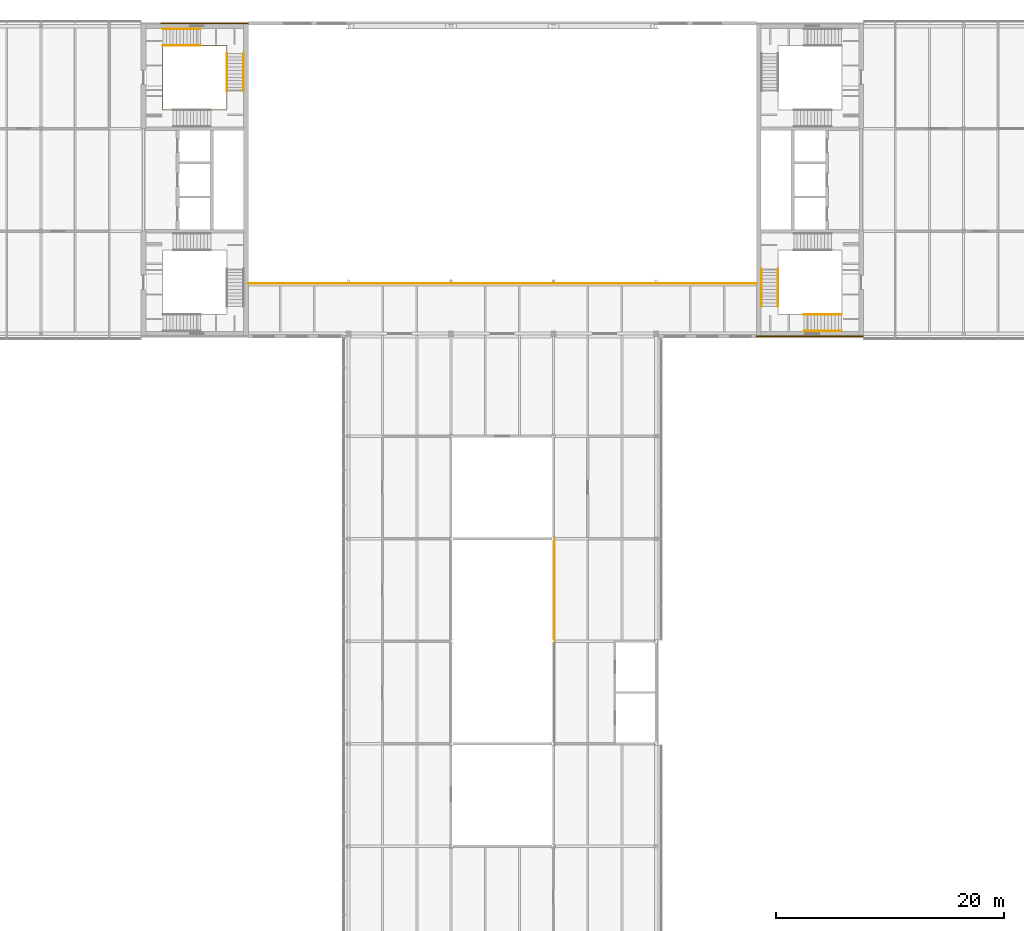
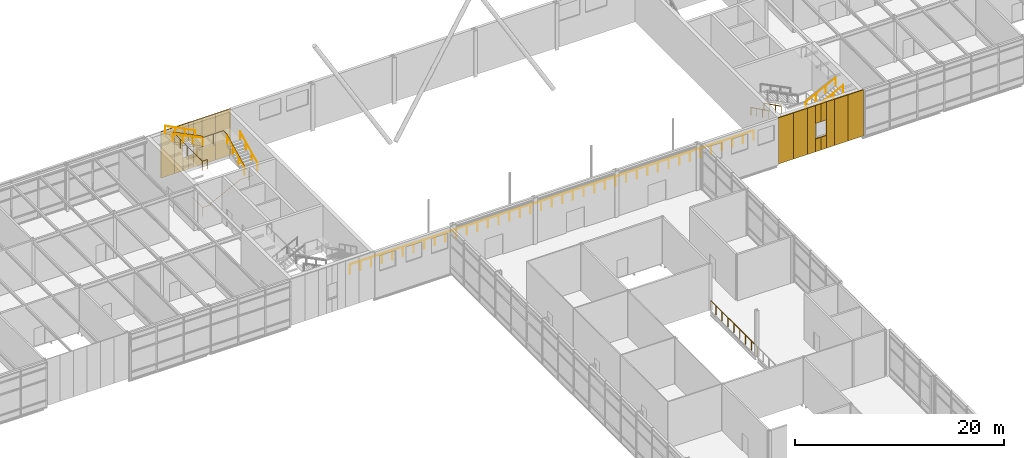
# One storey, part 44 of 46: 19 coverings, 11 railings.
"""IFC4 building model written with IfcOpenShell, lengths in metres."""

from ifc_helpers import new_model, si_unit, direction, frame, origin, origin_2d, place, context, subcontext, project, spatial, rectangle, circle, extrude, material, layer, layer_set, type_object, element, save


model = new_model("IFC4")

# Units and contexts
model_context = context("Model", 3, precision=1e-05, world=origin(), true_north=direction((0.0, 1.0)))
body_context = subcontext(model_context, "Body", "Model", "MODEL_VIEW")
ifc_project = project(units=[si_unit("LENGTHUNIT", "METRE"), si_unit("AREAUNIT", "SQUARE_METRE"), si_unit("VOLUMEUNIT", "CUBIC_METRE"), si_unit("PLANEANGLEUNIT", "RADIAN"), si_unit("MASSUNIT", "GRAM", prefix="KILO")], contexts=[model_context])

# Site, building, storey
site_placement = place(None, origin())
site = spatial("IfcSite", under=ifc_project, at=site_placement, CompositionType="ELEMENT")
building_placement = place(site_placement, origin())
building = spatial("IfcBuilding", under=site, at=building_placement, Name="Azimuth Sports and Learning Centre", CompositionType="ELEMENT")
storey_placement = place(building_placement, frame((0.0, 0.0, 21.60009765625)))
storey = spatial("IfcBuildingStorey", under=building, at=storey_placement, Name="L04", CompositionType="ELEMENT", Elevation=21.60009765625)

# Coverings
ifc_material_1 = material(Name="Cladding panel")
ifc_layer = layer(ifc_material_1, 0.10009765625)
ifc_layer_set = layer_set([ifc_layer], Name="Cladding panel")
covering_type = type_object("IfcCoveringType", Name="Cladding panel 100", PredefinedType="CLADDING", material=ifc_layer_set)
covering_1_placement = place(storey_placement, frame((108.64990234375, 89.75, 0.0), z_axis=(0.0, 0.0, 1.0), x_axis=(1.0, 0.0, 0.0)))
element("IfcCovering", 1, at=covering_1_placement, inside=storey, type_object=covering_type, Name="Cladding panel S-CORE E L04 1", PredefinedType="CLADDING", context=body_context, shape_type="SweptSolid", body=[
    extrude(rectangle(XDim=1.699951171875, YDim=0.10009765625, at=origin_2d()), origin(), (0.0, 0.0, 1.0), 5.39990234375),
])
covering_2_placement = place(storey_placement, frame((110.25, 89.75, 0.0), z_axis=(0.0, 0.0, 1.0), x_axis=(1.0, 0.0, 0.0)))
element("IfcCovering", 2, at=covering_2_placement, inside=storey, type_object=covering_type, Name="Cladding panel S-CORE E L04 2", PredefinedType="CLADDING", context=body_context, shape_type="SweptSolid", body=[
    extrude(rectangle(XDim=1.5, YDim=0.10009765625, at=origin_2d()), origin(), (0.0, 0.0, 1.0), 5.39990234375),
])
covering_3_placement = place(storey_placement, frame((111.449951171875, 89.75, 0.0), z_axis=(0.0, 0.0, 1.0), x_axis=(1.0, 0.0, 0.0)))
element("IfcCovering", 3, at=covering_3_placement, inside=storey, type_object=covering_type, Name="Cladding panel S-CORE E L04 3", PredefinedType="CLADDING", context=body_context, shape_type="SweptSolid", body=[
    extrude(rectangle(XDim=0.89990234375, YDim=0.10009765625, at=origin_2d()), origin(), (0.0, 0.0, 1.0), 5.39990234375),
])
covering_4_placement = place(storey_placement, frame((112.199951171875, 89.75, 0.0), z_axis=(0.0, 0.0, 1.0), x_axis=(1.0, 0.0, 0.0)))
element("IfcCovering", 4, at=covering_4_placement, inside=storey, type_object=covering_type, Name="Cladding panel S-CORE E L04 4", PredefinedType="CLADDING", context=body_context, shape_type="SweptSolid", body=[
    extrude(rectangle(XDim=0.60009765625, YDim=0.10009765625, at=origin_2d()), origin(), (0.0, 0.0, 1.0), 1.5),
])
covering_5_placement = place(storey_placement, frame((112.199951171875, 89.75, 3.2998046875), z_axis=(0.0, 0.0, 1.0), x_axis=(1.0, 0.0, 0.0)))
element("IfcCovering", 5, at=covering_5_placement, inside=storey, type_object=covering_type, Name="Cladding panel S-CORE E L04 5", PredefinedType="CLADDING", context=body_context, shape_type="SweptSolid", body=[
    extrude(rectangle(XDim=0.60009765625, YDim=0.10009765625, at=origin_2d()), origin(), (0.0, 0.0, 1.0), 2.10009765625),
])
covering_6_placement = place(storey_placement, frame((113.550048828125, 89.75, 0.0), z_axis=(0.0, 0.0, 1.0), x_axis=(1.0, 0.0, 0.0)))
element("IfcCovering", 6, at=covering_6_placement, inside=storey, type_object=covering_type, Name="Cladding panel S-CORE E L04 6", PredefinedType="CLADDING", context=body_context, shape_type="SweptSolid", body=[
    extrude(rectangle(XDim=0.89990234375, YDim=0.10009765625, at=origin_2d()), origin(), (0.0, 0.0, 1.0), 5.39990234375),
])
covering_7_placement = place(storey_placement, frame((112.800048828125, 89.75, 0.0), z_axis=(0.0, 0.0, 1.0), x_axis=(1.0, 0.0, 0.0)))
element("IfcCovering", 7, at=covering_7_placement, inside=storey, type_object=covering_type, Name="Cladding panel S-CORE E L04 7", PredefinedType="CLADDING", context=body_context, shape_type="SweptSolid", body=[
    extrude(rectangle(XDim=0.60009765625, YDim=0.10009765625, at=origin_2d()), origin(), (0.0, 0.0, 1.0), 1.5),
])
covering_8_placement = place(storey_placement, frame((112.800048828125, 89.75, 3.2998046875), z_axis=(0.0, 0.0, 1.0), x_axis=(1.0, 0.0, 0.0)))
element("IfcCovering", 8, at=covering_8_placement, inside=storey, type_object=covering_type, Name="Cladding panel S-CORE E L04 8", PredefinedType="CLADDING", context=body_context, shape_type="SweptSolid", body=[
    extrude(rectangle(XDim=0.60009765625, YDim=0.10009765625, at=origin_2d()), origin(), (0.0, 0.0, 1.0), 2.10009765625),
])
covering_9_placement = place(storey_placement, frame((114.75, 89.75, 0.0), z_axis=(0.0, 0.0, 1.0), x_axis=(1.0, 0.0, 0.0)))
element("IfcCovering", 9, at=covering_9_placement, inside=storey, type_object=covering_type, Name="Cladding panel S-CORE E L04 9", PredefinedType="CLADDING", context=body_context, shape_type="SweptSolid", body=[
    extrude(rectangle(XDim=1.5, YDim=0.10009765625, at=origin_2d()), origin(), (0.0, 0.0, 1.0), 5.39990234375),
])
for number, where, z_axis, x_axis, name in (
    (10, (116.35009765625, 89.75, 0.0), (0.0, 0.0, 1.0), (1.0, 0.0, 0.0), "Cladding panel S-CORE E L04 10"),
    (11, (62.35009765625, 117.25, 0.0), (0.0, 0.0, 1.0), (-1.0, 0.0, 0.0), "Cladding panel N-CORE W L04 1"),
):
    element("IfcCovering", number, at=place(storey_placement, frame(where, z_axis=z_axis, x_axis=x_axis)), inside=storey, type_object=covering_type, Name=name, PredefinedType="CLADDING", context=body_context, shape_type="SweptSolid", body=[
        extrude(rectangle(XDim=1.699951171875, YDim=0.10009765625, at=origin_2d()), origin(), (0.0, 0.0, 1.0), 5.39990234375),
    ])
covering_10_placement = place(storey_placement, frame((60.75, 117.25, 0.0), z_axis=(0.0, 0.0, 1.0), x_axis=(-1.0, 0.0, 0.0)))
element("IfcCovering", 12, at=covering_10_placement, inside=storey, type_object=covering_type, Name="Cladding panel N-CORE W L04 2", PredefinedType="CLADDING", context=body_context, shape_type="SweptSolid", body=[
    extrude(rectangle(XDim=1.5, YDim=0.10009765625, at=origin_2d()), origin(), (0.0, 0.0, 1.0), 5.39990234375),
])
covering_11_placement = place(storey_placement, frame((59.550048828125, 117.25, 0.0), z_axis=(0.0, 0.0, 1.0), x_axis=(-1.0, 0.0, 0.0)))
element("IfcCovering", 13, at=covering_11_placement, inside=storey, type_object=covering_type, Name="Cladding panel N-CORE W L04 3", PredefinedType="CLADDING", context=body_context, shape_type="SweptSolid", body=[
    extrude(rectangle(XDim=0.89990234375, YDim=0.10009765625, at=origin_2d()), origin(), (0.0, 0.0, 1.0), 5.39990234375),
])
covering_12_placement = place(storey_placement, frame((58.800048828125, 117.25, 0.0), z_axis=(0.0, 0.0, 1.0), x_axis=(-1.0, 0.0, 0.0)))
element("IfcCovering", 14, at=covering_12_placement, inside=storey, type_object=covering_type, Name="Cladding panel N-CORE W L04 4", PredefinedType="CLADDING", context=body_context, shape_type="SweptSolid", body=[
    extrude(rectangle(XDim=0.60009765625, YDim=0.10009765625, at=origin_2d()), origin(), (0.0, 0.0, 1.0), 1.5),
])
covering_13_placement = place(storey_placement, frame((58.800048828125, 117.25, 3.2998046875), z_axis=(0.0, 0.0, 1.0), x_axis=(-1.0, 0.0, 0.0)))
element("IfcCovering", 15, at=covering_13_placement, inside=storey, type_object=covering_type, Name="Cladding panel N-CORE W L04 5", PredefinedType="CLADDING", context=body_context, shape_type="SweptSolid", body=[
    extrude(rectangle(XDim=0.60009765625, YDim=0.10009765625, at=origin_2d()), origin(), (0.0, 0.0, 1.0), 2.10009765625),
])
covering_14_placement = place(storey_placement, frame((57.449951171875, 117.25, 0.0), z_axis=(0.0, 0.0, 1.0), x_axis=(-1.0, 0.0, 0.0)))
element("IfcCovering", 16, at=covering_14_placement, inside=storey, type_object=covering_type, Name="Cladding panel N-CORE W L04 6", PredefinedType="CLADDING", context=body_context, shape_type="SweptSolid", body=[
    extrude(rectangle(XDim=0.89990234375, YDim=0.10009765625, at=origin_2d()), origin(), (0.0, 0.0, 1.0), 5.39990234375),
])
covering_15_placement = place(storey_placement, frame((58.199951171875, 117.25, 0.0), z_axis=(0.0, 0.0, 1.0), x_axis=(-1.0, 0.0, 0.0)))
element("IfcCovering", 17, at=covering_15_placement, inside=storey, type_object=covering_type, Name="Cladding panel N-CORE W L04 7", PredefinedType="CLADDING", context=body_context, shape_type="SweptSolid", body=[
    extrude(rectangle(XDim=0.60009765625, YDim=0.10009765625, at=origin_2d()), origin(), (0.0, 0.0, 1.0), 1.5),
])
covering_16_placement = place(storey_placement, frame((58.199951171875, 117.25, 3.2998046875), z_axis=(0.0, 0.0, 1.0), x_axis=(-1.0, 0.0, 0.0)))
element("IfcCovering", 18, at=covering_16_placement, inside=storey, type_object=covering_type, Name="Cladding panel N-CORE W L04 8", PredefinedType="CLADDING", context=body_context, shape_type="SweptSolid", body=[
    extrude(rectangle(XDim=0.60009765625, YDim=0.10009765625, at=origin_2d()), origin(), (0.0, 0.0, 1.0), 2.10009765625),
])
covering_17_placement = place(storey_placement, frame((56.25, 117.25, 0.0), z_axis=(0.0, 0.0, 1.0), x_axis=(-1.0, 0.0, 0.0)))
element("IfcCovering", 19, at=covering_17_placement, inside=storey, type_object=covering_type, Name="Cladding panel N-CORE W L04 9", PredefinedType="CLADDING", context=body_context, shape_type="SweptSolid", body=[
    extrude(rectangle(XDim=1.5, YDim=0.10009765625, at=origin_2d()), origin(), (0.0, 0.0, 1.0), 5.39990234375),
])

# Railings
ifc_material_2 = material(Name="Steel balustrade", Category="steel")
railing_type_1 = type_object("IfcRailingType", Name="Guard 1100", PredefinedType="GUARDRAIL", material=ifc_material_2)
railing_1_placement = place(storey_placement, frame((90.070068359375, 63.0, 0.0)))
element("IfcRailing", 20, at=railing_1_placement, inside=storey, type_object=railing_type_1, Name="Atrium guard", PredefinedType="GUARDRAIL", context=body_context, shape_type="SweptSolid", body=[
    extrude(circle(Radius=0.02392578125, at=origin_2d()), frame((0.0, 0.0, 1.076171875), z_axis=(0.0, 1.0, 0.0), x_axis=(-1.0, 0.0, 0.0)), (0.0, 0.0, 1.0), 9.0),
    extrude(circle(Radius=0.02099609375, at=origin_2d()), origin(), (0.0, 0.0, 1.0), 1.052001953125),
    extrude(circle(Radius=0.02099609375, at=origin_2d()), frame((0.0, 1.125, 0.0)), (0.0, 0.0, 1.0), 1.052001953125),
    extrude(circle(Radius=0.02099609375, at=origin_2d()), frame((0.0, 2.25, 0.0)), (0.0, 0.0, 1.0), 1.052001953125),
    extrude(circle(Radius=0.02099609375, at=origin_2d()), frame((0.0, 3.375, 0.0)), (0.0, 0.0, 1.0), 1.052001953125),
    extrude(circle(Radius=0.02099609375, at=origin_2d()), frame((0.0, 4.5, 0.0)), (0.0, 0.0, 1.0), 1.052001953125),
    extrude(circle(Radius=0.02099609375, at=origin_2d()), frame((0.0, 5.625, 0.0)), (0.0, 0.0, 1.0), 1.052001953125),
    extrude(circle(Radius=0.02099609375, at=origin_2d()), frame((0.0, 6.75, 0.0)), (0.0, 0.0, 1.0), 1.052001953125),
    extrude(circle(Radius=0.02099609375, at=origin_2d()), frame((0.0, 7.875, 0.0)), (0.0, 0.0, 1.0), 1.052001953125),
    extrude(circle(Radius=0.02099609375, at=origin_2d()), frame((0.0, 9.0, 0.0)), (0.0, 0.0, 1.0), 1.052001953125),
])
railing_2_placement = place(storey_placement, frame((63.199951171875, 94.39990234375, 0.0)))
element("IfcRailing", 21, at=railing_2_placement, inside=storey, type_object=railing_type_1, Name="Gallery guard B", PredefinedType="GUARDRAIL", context=body_context, shape_type="SweptSolid", body=[
    extrude(circle(Radius=0.02392578125, at=origin_2d()), frame((0.0, 0.0, 1.076171875), z_axis=(1.0, 0.0, 0.0), x_axis=(0.0, 1.0, 0.0)), (0.0, 0.0, 1.0), 44.60009765625),
    extrude(circle(Radius=0.02099609375, at=origin_2d()), origin(), (0.0, 0.0, 1.0), 1.052001953125),
    extrude(circle(Radius=0.02099609375, at=origin_2d()), frame((1.173583984375, 0.0, 0.0)), (0.0, 0.0, 1.0), 1.052001953125),
    extrude(circle(Radius=0.02099609375, at=origin_2d()), frame((2.347412109375, 0.0, 0.0)), (0.0, 0.0, 1.0), 1.052001953125),
    extrude(circle(Radius=0.02099609375, at=origin_2d()), frame((3.52099609375, 0.0, 0.0)), (0.0, 0.0, 1.0), 1.052001953125),
    extrude(circle(Radius=0.02099609375, at=origin_2d()), frame((4.69482421875, 0.0, 0.0)), (0.0, 0.0, 1.0), 1.052001953125),
    extrude(circle(Radius=0.02099609375, at=origin_2d()), frame((5.868408203125, 0.0, 0.0)), (0.0, 0.0, 1.0), 1.052001953125),
    extrude(circle(Radius=0.02099609375, at=origin_2d()), frame((7.042236328125, 0.0, 0.0)), (0.0, 0.0, 1.0), 1.052001953125),
    extrude(circle(Radius=0.02099609375, at=origin_2d()), frame((8.2158203125, 0.0, 0.0)), (0.0, 0.0, 1.0), 1.052001953125),
    extrude(circle(Radius=0.02099609375, at=origin_2d()), frame((9.389404296875, 0.0, 0.0)), (0.0, 0.0, 1.0), 1.052001953125),
    extrude(circle(Radius=0.02099609375, at=origin_2d()), frame((10.563232421875, 0.0, 0.0)), (0.0, 0.0, 1.0), 1.052001953125),
    extrude(circle(Radius=0.02099609375, at=origin_2d()), frame((11.73681640625, 0.0, 0.0)), (0.0, 0.0, 1.0), 1.052001953125),
    extrude(circle(Radius=0.02099609375, at=origin_2d()), frame((12.91064453125, 0.0, 0.0)), (0.0, 0.0, 1.0), 1.052001953125),
    extrude(circle(Radius=0.02099609375, at=origin_2d()), frame((14.084228515625, 0.0, 0.0)), (0.0, 0.0, 1.0), 1.052001953125),
    extrude(circle(Radius=0.02099609375, at=origin_2d()), frame((15.2578125, 0.0, 0.0)), (0.0, 0.0, 1.0), 1.052001953125),
    extrude(circle(Radius=0.02099609375, at=origin_2d()), frame((16.431640625, 0.0, 0.0)), (0.0, 0.0, 1.0), 1.052001953125),
    extrude(circle(Radius=0.02099609375, at=origin_2d()), frame((17.605224609375, 0.0, 0.0)), (0.0, 0.0, 1.0), 1.052001953125),
    extrude(circle(Radius=0.02099609375, at=origin_2d()), frame((18.779052734375, 0.0, 0.0)), (0.0, 0.0, 1.0), 1.052001953125),
    extrude(circle(Radius=0.02099609375, at=origin_2d()), frame((19.95263671875, 0.0, 0.0)), (0.0, 0.0, 1.0), 1.052001953125),
    extrude(circle(Radius=0.02099609375, at=origin_2d()), frame((21.12646484375, 0.0, 0.0)), (0.0, 0.0, 1.0), 1.052001953125),
    extrude(circle(Radius=0.02099609375, at=origin_2d()), frame((22.300048828125, 0.0, 0.0)), (0.0, 0.0, 1.0), 1.052001953125),
    extrude(circle(Radius=0.02099609375, at=origin_2d()), frame((23.4736328125, 0.0, 0.0)), (0.0, 0.0, 1.0), 1.052001953125),
    extrude(circle(Radius=0.02099609375, at=origin_2d()), frame((24.6474609375, 0.0, 0.0)), (0.0, 0.0, 1.0), 1.052001953125),
    extrude(circle(Radius=0.02099609375, at=origin_2d()), frame((25.821044921875, 0.0, 0.0)), (0.0, 0.0, 1.0), 1.052001953125),
    extrude(circle(Radius=0.02099609375, at=origin_2d()), frame((26.994873046875, 0.0, 0.0)), (0.0, 0.0, 1.0), 1.052001953125),
    extrude(circle(Radius=0.02099609375, at=origin_2d()), frame((28.16845703125, 0.0, 0.0)), (0.0, 0.0, 1.0), 1.052001953125),
    extrude(circle(Radius=0.02099609375, at=origin_2d()), frame((29.34228515625, 0.0, 0.0)), (0.0, 0.0, 1.0), 1.052001953125),
    extrude(circle(Radius=0.02099609375, at=origin_2d()), frame((30.515869140625, 0.0, 0.0)), (0.0, 0.0, 1.0), 1.052001953125),
    extrude(circle(Radius=0.02099609375, at=origin_2d()), frame((31.689453125, 0.0, 0.0)), (0.0, 0.0, 1.0), 1.052001953125),
    extrude(circle(Radius=0.02099609375, at=origin_2d()), frame((32.86328125, 0.0, 0.0)), (0.0, 0.0, 1.0), 1.052001953125),
    extrude(circle(Radius=0.02099609375, at=origin_2d()), frame((34.036865234375, 0.0, 0.0)), (0.0, 0.0, 1.0), 1.052001953125),
    extrude(circle(Radius=0.02099609375, at=origin_2d()), frame((35.210693359375, 0.0, 0.0)), (0.0, 0.0, 1.0), 1.052001953125),
    extrude(circle(Radius=0.02099609375, at=origin_2d()), frame((36.38427734375, 0.0, 0.0)), (0.0, 0.0, 1.0), 1.052001953125),
    extrude(circle(Radius=0.02099609375, at=origin_2d()), frame((37.557861328125, 0.0, 0.0)), (0.0, 0.0, 1.0), 1.052001953125),
    extrude(circle(Radius=0.02099609375, at=origin_2d()), frame((38.731689453125, 0.0, 0.0)), (0.0, 0.0, 1.0), 1.052001953125),
    extrude(circle(Radius=0.02099609375, at=origin_2d()), frame((39.9052734375, 0.0, 0.0)), (0.0, 0.0, 1.0), 1.052001953125),
    extrude(circle(Radius=0.02099609375, at=origin_2d()), frame((41.0791015625, 0.0, 0.0)), (0.0, 0.0, 1.0), 1.052001953125),
    extrude(circle(Radius=0.02099609375, at=origin_2d()), frame((42.252685546875, 0.0, 0.0)), (0.0, 0.0, 1.0), 1.052001953125),
    extrude(circle(Radius=0.02099609375, at=origin_2d()), frame((43.426513671875, 0.0, 0.0)), (0.0, 0.0, 1.0), 1.052001953125),
    extrude(circle(Radius=0.02099609375, at=origin_2d()), frame((44.60009765625, 0.0, 0.0)), (0.0, 0.0, 1.0), 1.052001953125),
])
ifc_material_3 = material(Name="Stainless steel", Category="steel")
railing_type_2 = type_object("IfcRailingType", Name="Stair guard 1100", PredefinedType="GUARDRAIL", material=ifc_material_3)
railing_3_placement = place(storey_placement, frame((55.7099609375, 111.75, 0.0)))
element("IfcRailing", 22, at=railing_3_placement, inside=storey, type_object=railing_type_2, Name="Guard W2 L04 well", PredefinedType="GUARDRAIL", context=body_context, shape_type="SweptSolid", body=[
    extrude(circle(Radius=0.02392578125, at=origin_2d()), frame((0.0, 0.0, 1.076171875), z_axis=(0.0, -1.0, 0.0), x_axis=(1.0, 0.0, 0.0)), (0.0, 0.0, 1.0), 2.090087890625),
    extrude(circle(Radius=0.02392578125, at=origin_2d()), frame((0.0, -2.090087890625, 1.076171875), z_axis=(1.0, 0.0, 0.0), x_axis=(0.0, 1.0, 0.0)), (0.0, 0.0, 1.0), 0.900146484375),
    extrude(circle(Radius=0.02392578125, at=origin_2d()), frame((0.900146484375, -2.090087890625, 1.076171875), z_axis=(0.0, 0.0, 1.0), x_axis=(1.0, 0.0, 0.0)), (0.0, 0.0, 1.0), 0.14990234375),
    extrude(circle(Radius=0.02392578125, at=origin_2d()), frame((0.900146484375, -2.090087890625, 1.22607421875), z_axis=(0.894427191, 0.0, 0.4472135955), x_axis=(0.0, 1.0, 0.0)), (0.0, 0.0, 1.0), 3.689208984375),
    extrude(circle(Radius=0.02392578125, at=origin_2d()), frame((4.199951171875, -2.090087890625, 2.8759765625), z_axis=(1.0, 0.0, 0.0), x_axis=(0.0, 1.0, 0.0)), (0.0, 0.0, 1.0), 1.380126953125),
    extrude(circle(Radius=0.02392578125, at=origin_2d()), frame((5.580078125, -2.090087890625, 2.8759765625), z_axis=(0.0, 1.0, 0.0), x_axis=(-1.0, 0.0, 0.0)), (0.0, 0.0, 1.0), 1.650146484375),
    extrude(circle(Radius=0.02392578125, at=origin_2d()), frame((5.580078125, -0.43994140625, 2.8759765625), z_axis=(0.0, 0.0, 1.0), x_axis=(1.0, 0.0, 0.0)), (0.0, 0.0, 1.0), 0.150146484375),
    extrude(circle(Radius=0.02392578125, at=origin_2d()), frame((5.580078125, -0.43994140625, 3.02587890625), z_axis=(0.0, 0.894440424912, 0.447187126696), x_axis=(-1.0, 0.0, 0.0)), (0.0, 0.0, 1.0), 3.689453125),
    extrude(circle(Radius=0.02392578125, at=origin_2d()), frame((5.580078125, 2.860107421875, 4.67578125), z_axis=(0.0, 1.0, 0.0), x_axis=(-1.0, 0.0, 0.0)), (0.0, 0.0, 1.0), 0.679931640625),
    extrude(circle(Radius=0.02392578125, at=origin_2d()), frame((5.580078125, 3.5400390625, 4.67578125), z_axis=(-1.0, 0.0, 0.0), x_axis=(0.0, -1.0, 0.0)), (0.0, 0.0, 1.0), 2.280029296875),
    extrude(circle(Radius=0.02392578125, at=origin_2d()), frame((3.300048828125, 3.5400390625, 4.67578125), z_axis=(0.0, 0.0, 1.0), x_axis=(1.0, 0.0, 0.0)), (0.0, 0.0, 1.0), 0.150146484375),
    extrude(circle(Radius=0.02392578125, at=origin_2d()), frame((3.300048828125, 3.5400390625, 4.826171875), z_axis=(-0.894440424912, 0.0, 0.447187126696), x_axis=(0.0, -1.0, 0.0)), (0.0, 0.0, 1.0), 3.689453125),
    extrude(circle(Radius=0.02392578125, at=origin_2d()), frame((0.0, 3.5400390625, 6.47607421875), z_axis=(0.0, -1.0, 0.0), x_axis=(1.0, 0.0, 0.0)), (0.0, 0.0, 1.0), 5.630126953125),
    extrude(circle(Radius=0.02392578125, at=origin_2d()), frame((0.0, -2.090087890625, 6.47607421875), z_axis=(1.0, 0.0, 0.0), x_axis=(0.0, 1.0, 0.0)), (0.0, 0.0, 1.0), 0.5400390625),
    extrude(circle(Radius=0.01611328125, at=origin_2d()), origin(), (0.0, 0.0, 1.0), 1.052001953125),
    extrude(circle(Radius=0.01611328125, at=origin_2d()), frame((0.0, -1.044921875, 0.0)), (0.0, 0.0, 1.0), 1.052001953125),
    extrude(circle(Radius=0.01611328125, at=origin_2d()), frame((0.0, -2.090087890625, 0.0)), (0.0, 0.0, 1.0), 1.052001953125),
    extrude(circle(Radius=0.01611328125, at=origin_2d()), frame((0.900146484375, -2.090087890625, 0.0)), (0.0, 0.0, 1.0), 1.052001953125),
    extrude(circle(Radius=0.01611328125, at=origin_2d()), frame((0.900146484375, -2.090087890625, 0.14990234375)), (0.0, 0.0, 1.0), 1.052001953125),
    extrude(circle(Radius=0.01611328125, at=origin_2d()), frame((2.0, -2.090087890625, 0.699951171875)), (0.0, 0.0, 1.0), 1.052001953125),
    extrude(circle(Radius=0.01611328125, at=origin_2d()), frame((3.10009765625, -2.090087890625, 1.249755859375)), (0.0, 0.0, 1.0), 1.052001953125),
    extrude(circle(Radius=0.01611328125, at=origin_2d()), frame((4.199951171875, -2.090087890625, 1.7998046875)), (0.0, 0.0, 1.0), 1.052001953125),
    extrude(circle(Radius=0.01611328125, at=origin_2d()), frame((5.580078125, -2.090087890625, 1.7998046875)), (0.0, 0.0, 1.0), 1.052001953125),
    extrude(circle(Radius=0.01611328125, at=origin_2d()), frame((5.580078125, -1.26513671875, 1.7998046875)), (0.0, 0.0, 1.0), 1.052001953125),
    extrude(circle(Radius=0.01611328125, at=origin_2d()), frame((5.580078125, -0.43994140625, 1.7998046875)), (0.0, 0.0, 1.0), 1.052001953125),
    extrude(circle(Radius=0.01611328125, at=origin_2d()), frame((5.580078125, -0.43994140625, 1.949951171875)), (0.0, 0.0, 1.0), 1.052001953125),
    extrude(circle(Radius=0.01611328125, at=origin_2d()), frame((5.580078125, 0.66015625, 2.5)), (0.0, 0.0, 1.0), 1.052001953125),
    extrude(circle(Radius=0.01611328125, at=origin_2d()), frame((5.580078125, 1.760009765625, 3.0498046875)), (0.0, 0.0, 1.0), 1.052001953125),
    extrude(circle(Radius=0.01611328125, at=origin_2d()), frame((5.580078125, 2.860107421875, 3.599853515625)), (0.0, 0.0, 1.0), 1.052001953125),
    extrude(circle(Radius=0.01611328125, at=origin_2d()), frame((5.580078125, 3.5400390625, 3.599853515625)), (0.0, 0.0, 1.0), 1.052001953125),
    extrude(circle(Radius=0.01611328125, at=origin_2d()), frame((4.43994140625, 3.5400390625, 3.599853515625)), (0.0, 0.0, 1.0), 1.052001953125),
    extrude(circle(Radius=0.01611328125, at=origin_2d()), frame((3.300048828125, 3.5400390625, 3.599853515625)), (0.0, 0.0, 1.0), 1.052001953125),
    extrude(circle(Radius=0.01611328125, at=origin_2d()), frame((3.300048828125, 3.5400390625, 3.75)), (0.0, 0.0, 1.0), 1.052001953125),
    extrude(circle(Radius=0.01611328125, at=origin_2d()), frame((2.199951171875, 3.5400390625, 4.300048828125)), (0.0, 0.0, 1.0), 1.052001953125),
    extrude(circle(Radius=0.01611328125, at=origin_2d()), frame((1.10009765625, 3.5400390625, 4.849853515625)), (0.0, 0.0, 1.0), 1.052001953125),
    extrude(circle(Radius=0.01611328125, at=origin_2d()), frame((0.0, 3.5400390625, 5.39990234375)), (0.0, 0.0, 1.0), 1.052001953125),
    extrude(circle(Radius=0.01611328125, at=origin_2d()), frame((0.0, 2.132568359375, 5.39990234375)), (0.0, 0.0, 1.0), 1.052001953125),
    extrude(circle(Radius=0.01611328125, at=origin_2d()), frame((0.0, 0.72509765625, 5.39990234375)), (0.0, 0.0, 1.0), 1.052001953125),
    extrude(circle(Radius=0.01611328125, at=origin_2d()), frame((0.0, -0.6826171875, 5.39990234375)), (0.0, 0.0, 1.0), 1.052001953125),
    extrude(circle(Radius=0.01611328125, at=origin_2d()), frame((0.0, -2.090087890625, 5.39990234375)), (0.0, 0.0, 1.0), 1.052001953125),
    extrude(circle(Radius=0.01611328125, at=origin_2d()), frame((0.5400390625, -2.090087890625, 5.39990234375)), (0.0, 0.0, 1.0), 1.052001953125),
])
ifc_material_4 = material(Name="Stainless steel", Category="steel")
railing_type_3 = type_object("IfcRailingType", Name="Stair handrail 42", PredefinedType="HANDRAIL", material=ifc_material_4)
for number, where, name in (
    (23, (61.320068359375, 111.31005859375, 1.949951171875), "Handrail W2 L04 flight 2 inner"),
    (24, (62.760009765625, 111.31005859375, 1.949951171875), "Handrail W2 L04 flight 2 outer"),
):
    element("IfcRailing", number, at=place(storey_placement, frame(where)), inside=storey, type_object=railing_type_3, Name=name, PredefinedType="HANDRAIL", context=body_context, shape_type="SweptSolid", body=[
        extrude(circle(Radius=0.02099609375, at=origin_2d()), frame((0.0, 0.0, 0.87890625), z_axis=(0.0, 0.894440424912, 0.447187126696), x_axis=(-1.0, 0.0, 0.0)), (0.0, 0.0, 1.0), 3.689453125),
        extrude(circle(Radius=0.01611328125, at=origin_2d()), origin(), (0.0, 0.0, 1.0), 0.85791015625),
        extrude(circle(Radius=0.01611328125, at=origin_2d()), frame((0.0, 1.10009765625, 0.550048828125)), (0.0, 0.0, 1.0), 0.85791015625),
        extrude(circle(Radius=0.01611328125, at=origin_2d()), frame((0.0, 2.199951171875, 1.099853515625)), (0.0, 0.0, 1.0), 0.85791015625),
        extrude(circle(Radius=0.01611328125, at=origin_2d()), frame((0.0, 3.300048828125, 1.64990234375)), (0.0, 0.0, 1.0), 0.85791015625),
    ])
for number, where, name in (
    (25, (59.010009765625, 115.320068359375, 3.75), "Handrail W2 L04 flight 3 inner"),
    (26, (59.010009765625, 116.760009765625, 3.75), "Handrail W2 L04 flight 3 outer"),
):
    element("IfcRailing", number, at=place(storey_placement, frame(where)), inside=storey, type_object=railing_type_3, Name=name, PredefinedType="HANDRAIL", context=body_context, shape_type="SweptSolid", body=[
        extrude(circle(Radius=0.02099609375, at=origin_2d()), frame((0.0, 0.0, 0.87890625), z_axis=(-0.894440424912, 0.0, 0.447187126696), x_axis=(0.0, -1.0, 0.0)), (0.0, 0.0, 1.0), 3.689453125),
        extrude(circle(Radius=0.01611328125, at=origin_2d()), origin(), (0.0, 0.0, 1.0), 0.85791015625),
        extrude(circle(Radius=0.01611328125, at=origin_2d()), frame((-1.10009765625, 0.0, 0.550048828125)), (0.0, 0.0, 1.0), 0.85791015625),
        extrude(circle(Radius=0.01611328125, at=origin_2d()), frame((-2.199951171875, 0.0, 1.099853515625)), (0.0, 0.0, 1.0), 0.85791015625),
        extrude(circle(Radius=0.01611328125, at=origin_2d()), frame((-3.300048828125, 0.0, 1.64990234375)), (0.0, 0.0, 1.0), 0.85791015625),
    ])
for number, where, name in (
    (27, (109.679931640625, 95.68994140625, 1.949951171875), "Handrail E1 L04 flight 2 inner"),
    (28, (108.239990234375, 95.68994140625, 1.949951171875), "Handrail E1 L04 flight 2 outer"),
):
    element("IfcRailing", number, at=place(storey_placement, frame(where)), inside=storey, type_object=railing_type_3, Name=name, PredefinedType="HANDRAIL", context=body_context, shape_type="SweptSolid", body=[
        extrude(circle(Radius=0.02099609375, at=origin_2d()), frame((0.0, 0.0, 0.87890625), z_axis=(0.0, -0.894440424912, 0.447187126696), x_axis=(1.0, 0.0, 0.0)), (0.0, 0.0, 1.0), 3.689453125),
        extrude(circle(Radius=0.01611328125, at=origin_2d()), origin(), (0.0, 0.0, 1.0), 0.85791015625),
        extrude(circle(Radius=0.01611328125, at=origin_2d()), frame((0.0, -1.10009765625, 0.550048828125)), (0.0, 0.0, 1.0), 0.85791015625),
        extrude(circle(Radius=0.01611328125, at=origin_2d()), frame((0.0, -2.199951171875, 1.099853515625)), (0.0, 0.0, 1.0), 0.85791015625),
        extrude(circle(Radius=0.01611328125, at=origin_2d()), frame((0.0, -3.300048828125, 1.64990234375)), (0.0, 0.0, 1.0), 0.85791015625),
    ])
for number, where, name in (
    (29, (111.989990234375, 91.679931640625, 3.75), "Handrail E1 L04 flight 3 inner"),
    (30, (111.989990234375, 90.239990234375, 3.75), "Handrail E1 L04 flight 3 outer"),
):
    element("IfcRailing", number, at=place(storey_placement, frame(where)), inside=storey, type_object=railing_type_3, Name=name, PredefinedType="HANDRAIL", context=body_context, shape_type="SweptSolid", body=[
        extrude(circle(Radius=0.02099609375, at=origin_2d()), frame((0.0, 0.0, 0.87890625), z_axis=(0.894440424912, 0.0, 0.447187126696), x_axis=(0.0, 1.0, 0.0)), (0.0, 0.0, 1.0), 3.689453125),
        extrude(circle(Radius=0.01611328125, at=origin_2d()), origin(), (0.0, 0.0, 1.0), 0.85791015625),
        extrude(circle(Radius=0.01611328125, at=origin_2d()), frame((1.10009765625, 0.0, 0.550048828125)), (0.0, 0.0, 1.0), 0.85791015625),
        extrude(circle(Radius=0.01611328125, at=origin_2d()), frame((2.199951171875, 0.0, 1.099853515625)), (0.0, 0.0, 1.0), 0.85791015625),
        extrude(circle(Radius=0.01611328125, at=origin_2d()), frame((3.300048828125, 0.0, 1.64990234375)), (0.0, 0.0, 1.0), 0.85791015625),
    ])

save(model, "model.ifc")
